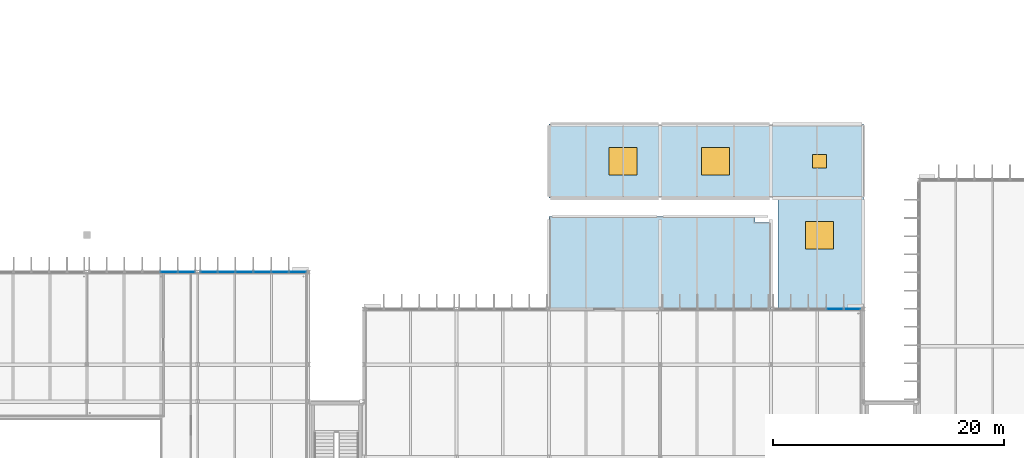
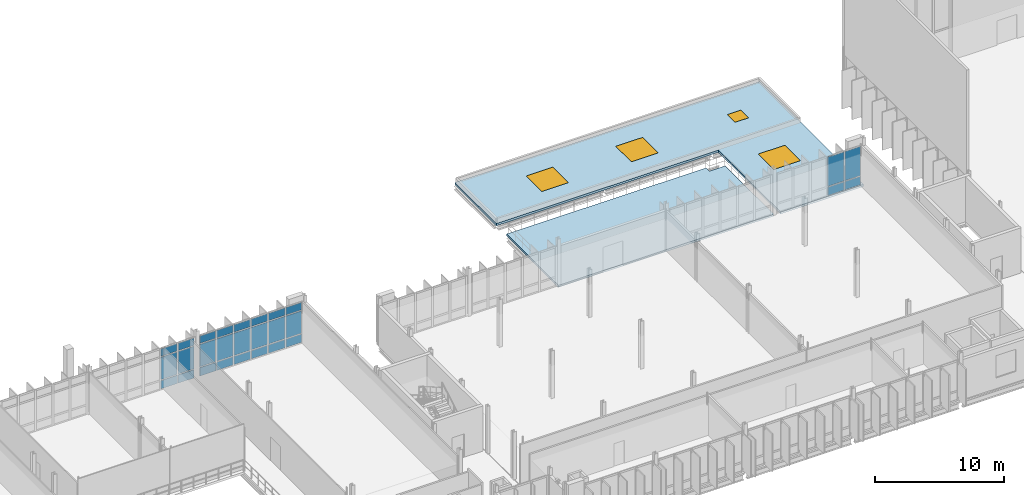
# One storey, part 54 of 110: 28 plates, 4 windows, 2 slabs, 4 openings, 3 elements without a shape of their own.
"""IFC4 building model written with IfcOpenShell, lengths in metres."""

from ifc_helpers import new_model, si_unit, direction, frame, origin, origin_2d, place, context, subcontext, project, spatial, polyline, rectangle, outline, extrude, material, layer, layer_set, type_object, element, fill, aggregate, save


model = new_model("IFC4")

# Units and contexts
model_context = context("Model", 3, precision=1e-05, world=origin(), true_north=direction((0.0, 1.0)))
body_context = subcontext(model_context, "Body", "Model", "MODEL_VIEW")
ifc_project = project(units=[si_unit("LENGTHUNIT", "METRE"), si_unit("AREAUNIT", "SQUARE_METRE"), si_unit("VOLUMEUNIT", "CUBIC_METRE"), si_unit("PLANEANGLEUNIT", "RADIAN"), si_unit("MASSUNIT", "GRAM", prefix="KILO")], contexts=[model_context])

# Site, building, storey
site_placement = place(None, origin())
site = spatial("IfcSite", under=ifc_project, at=site_placement, CompositionType="ELEMENT")
building_placement = place(site_placement, origin())
building = spatial("IfcBuilding", under=site, at=building_placement, Name="Dunescarp Central Library", CompositionType="ELEMENT")
storey_placement = place(building_placement, frame((0.0, 0.0, 9.60009765625)))
storey = spatial("IfcBuildingStorey", under=building, at=storey_placement, Name="L02", CompositionType="ELEMENT", Elevation=9.60009765625)

# Curtain wall, plates
ifc_material_1 = material(Name="Marine-grade anodised aluminium 6063-T6", Category="aluminium")
curtain_wall_type = type_object("IfcCurtainWallType", Name="ARC-CW-STICK", PredefinedType="NOTDEFINED", material=ifc_material_1)
curtain_wall_1_placement = place(storey_placement, origin())
curtain_wall_1 = element("IfcCurtainWall", 1, at=curtain_wall_1_placement, inside=storey, type_object=curtain_wall_type, Name="L02 curtain wall CW-V2-059", PredefinedType="NOTDEFINED")
ifc_material_2 = material(Name="Solar-control laminated double glazing", Category="glass")
ifc_layer_1 = layer(ifc_material_2, 0.028076171875)
ifc_layer_set_1 = layer_set([ifc_layer_1], Name="Solar-control laminated double glazing")
plate_type_1 = type_object("IfcPlateType", Name="ARC-PLT-GLZ28", PredefinedType="CURTAIN_PANEL", material=ifc_layer_set_1)
plate_1_placement = place(storey_placement, frame((64.71240234375, 36.800048828125, 0.93994140625), z_axis=(0.0, 0.0, 1.0), x_axis=(1.0, 0.0, 0.0)))
plate_1 = element("IfcPlate", 2, at=plate_1_placement, type_object=plate_type_1, Name="CW-V2-059 panel 5.2", PredefinedType="CURTAIN_PANEL", context=body_context, shape_type="SweptSolid", body=[
    extrude(rectangle(XDim=1.461669921875, YDim=0.028076171875, at=origin_2d()), origin(), (0.0, 0.0, 1.0), 2.1201171875),
])
plate_2_placement = place(storey_placement, frame((64.71240234375, 36.800048828125, 3.139892578125), z_axis=(0.0, 0.0, 1.0), x_axis=(1.0, 0.0, 0.0)))
plate_2 = element("IfcPlate", 3, at=plate_2_placement, type_object=plate_type_1, Name="CW-V2-059 panel 5.3", PredefinedType="CURTAIN_PANEL", context=body_context, shape_type="SweptSolid", body=[
    extrude(rectangle(XDim=1.461669921875, YDim=0.028076171875, at=origin_2d()), origin(), (0.0, 0.0, 1.0), 0.705078125),
])
plate_3_placement = place(storey_placement, frame((66.234130859375, 36.800048828125, 0.93994140625), z_axis=(0.0, 0.0, 1.0), x_axis=(1.0, 0.0, 0.0)))
plate_3 = element("IfcPlate", 4, at=plate_3_placement, type_object=plate_type_1, Name="CW-V2-059 panel 6.2", PredefinedType="CURTAIN_PANEL", context=body_context, shape_type="SweptSolid", body=[
    extrude(rectangle(XDim=1.421630859375, YDim=0.028076171875, at=origin_2d()), origin(), (0.0, 0.0, 1.0), 2.1201171875),
])
plate_4_placement = place(storey_placement, frame((66.234130859375, 36.800048828125, 3.139892578125), z_axis=(0.0, 0.0, 1.0), x_axis=(1.0, 0.0, 0.0)))
plate_4 = element("IfcPlate", 5, at=plate_4_placement, type_object=plate_type_1, Name="CW-V2-059 panel 6.3", PredefinedType="CURTAIN_PANEL", context=body_context, shape_type="SweptSolid", body=[
    extrude(rectangle(XDim=1.421630859375, YDim=0.028076171875, at=origin_2d()), origin(), (0.0, 0.0, 1.0), 0.705078125),
])

curtain_wall_2_placement = place(storey_placement, origin())
curtain_wall_2 = element("IfcCurtainWall", 6, at=curtain_wall_2_placement, inside=storey, type_object=curtain_wall_type, Name="L02 curtain wall CW-V2-060", PredefinedType="NOTDEFINED")
plate_5_placement = place(storey_placement, frame((68.165771484375, 36.800048828125, 0.93994140625), z_axis=(0.0, 0.0, 1.0), x_axis=(1.0, 0.0, 0.0)))
plate_5 = element("IfcPlate", 7, at=plate_5_placement, type_object=plate_type_1, Name="CW-V2-060 panel 1.2", PredefinedType="CURTAIN_PANEL", context=body_context, shape_type="SweptSolid", body=[
    extrude(rectangle(XDim=1.421630859375, YDim=0.028076171875, at=origin_2d()), origin(), (0.0, 0.0, 1.0), 2.1201171875),
])
plate_6_placement = place(storey_placement, frame((68.165771484375, 36.800048828125, 3.139892578125), z_axis=(0.0, 0.0, 1.0), x_axis=(1.0, 0.0, 0.0)))
plate_6 = element("IfcPlate", 8, at=plate_6_placement, type_object=plate_type_1, Name="CW-V2-060 panel 1.3", PredefinedType="CURTAIN_PANEL", context=body_context, shape_type="SweptSolid", body=[
    extrude(rectangle(XDim=1.421630859375, YDim=0.028076171875, at=origin_2d()), origin(), (0.0, 0.0, 1.0), 0.705078125),
])
plate_7_placement = place(storey_placement, frame((69.6875, 36.800048828125, 0.93994140625), z_axis=(0.0, 0.0, 1.0), x_axis=(1.0, 0.0, 0.0)))
plate_7 = element("IfcPlate", 9, at=plate_7_placement, type_object=plate_type_1, Name="CW-V2-060 panel 2.2", PredefinedType="CURTAIN_PANEL", context=body_context, shape_type="SweptSolid", body=[
    extrude(rectangle(XDim=1.461669921875, YDim=0.028076171875, at=origin_2d()), origin(), (0.0, 0.0, 1.0), 2.1201171875),
])
plate_8_placement = place(storey_placement, frame((69.6875, 36.800048828125, 3.139892578125), z_axis=(0.0, 0.0, 1.0), x_axis=(1.0, 0.0, 0.0)))
plate_8 = element("IfcPlate", 10, at=plate_8_placement, type_object=plate_type_1, Name="CW-V2-060 panel 2.3", PredefinedType="CURTAIN_PANEL", context=body_context, shape_type="SweptSolid", body=[
    extrude(rectangle(XDim=1.461669921875, YDim=0.028076171875, at=origin_2d()), origin(), (0.0, 0.0, 1.0), 0.705078125),
])
plate_9_placement = place(storey_placement, frame((71.229248046875, 36.800048828125, 0.93994140625), z_axis=(0.0, 0.0, 1.0), x_axis=(1.0, 0.0, 0.0)))
plate_9 = element("IfcPlate", 11, at=plate_9_placement, type_object=plate_type_1, Name="CW-V2-060 panel 3.2", PredefinedType="CURTAIN_PANEL", context=body_context, shape_type="SweptSolid", body=[
    extrude(rectangle(XDim=1.461669921875, YDim=0.028076171875, at=origin_2d()), origin(), (0.0, 0.0, 1.0), 2.1201171875),
])
plate_10_placement = place(storey_placement, frame((71.229248046875, 36.800048828125, 3.139892578125), z_axis=(0.0, 0.0, 1.0), x_axis=(1.0, 0.0, 0.0)))
plate_10 = element("IfcPlate", 12, at=plate_10_placement, type_object=plate_type_1, Name="CW-V2-060 panel 3.3", PredefinedType="CURTAIN_PANEL", context=body_context, shape_type="SweptSolid", body=[
    extrude(rectangle(XDim=1.461669921875, YDim=0.028076171875, at=origin_2d()), origin(), (0.0, 0.0, 1.0), 0.705078125),
])
plate_11_placement = place(storey_placement, frame((72.770751953125, 36.800048828125, 0.93994140625), z_axis=(0.0, 0.0, 1.0), x_axis=(1.0, 0.0, 0.0)))
plate_11 = element("IfcPlate", 13, at=plate_11_placement, type_object=plate_type_1, Name="CW-V2-060 panel 4.2", PredefinedType="CURTAIN_PANEL", context=body_context, shape_type="SweptSolid", body=[
    extrude(rectangle(XDim=1.461669921875, YDim=0.028076171875, at=origin_2d()), origin(), (0.0, 0.0, 1.0), 2.1201171875),
])
plate_12_placement = place(storey_placement, frame((72.770751953125, 36.800048828125, 3.139892578125), z_axis=(0.0, 0.0, 1.0), x_axis=(1.0, 0.0, 0.0)))
plate_12 = element("IfcPlate", 14, at=plate_12_placement, type_object=plate_type_1, Name="CW-V2-060 panel 4.3", PredefinedType="CURTAIN_PANEL", context=body_context, shape_type="SweptSolid", body=[
    extrude(rectangle(XDim=1.461669921875, YDim=0.028076171875, at=origin_2d()), origin(), (0.0, 0.0, 1.0), 0.705078125),
])
plate_13_placement = place(storey_placement, frame((74.3125, 36.800048828125, 0.93994140625), z_axis=(0.0, 0.0, 1.0), x_axis=(1.0, 0.0, 0.0)))
plate_13 = element("IfcPlate", 15, at=plate_13_placement, type_object=plate_type_1, Name="CW-V2-060 panel 5.2", PredefinedType="CURTAIN_PANEL", context=body_context, shape_type="SweptSolid", body=[
    extrude(rectangle(XDim=1.461669921875, YDim=0.028076171875, at=origin_2d()), origin(), (0.0, 0.0, 1.0), 2.1201171875),
])
plate_14_placement = place(storey_placement, frame((74.3125, 36.800048828125, 3.139892578125), z_axis=(0.0, 0.0, 1.0), x_axis=(1.0, 0.0, 0.0)))
plate_14 = element("IfcPlate", 16, at=plate_14_placement, type_object=plate_type_1, Name="CW-V2-060 panel 5.3", PredefinedType="CURTAIN_PANEL", context=body_context, shape_type="SweptSolid", body=[
    extrude(rectangle(XDim=1.461669921875, YDim=0.028076171875, at=origin_2d()), origin(), (0.0, 0.0, 1.0), 0.705078125),
])
plate_15_placement = place(storey_placement, frame((75.834228515625, 36.800048828125, 0.93994140625), z_axis=(0.0, 0.0, 1.0), x_axis=(1.0, 0.0, 0.0)))
plate_15 = element("IfcPlate", 17, at=plate_15_placement, type_object=plate_type_1, Name="CW-V2-060 panel 6.2", PredefinedType="CURTAIN_PANEL", context=body_context, shape_type="SweptSolid", body=[
    extrude(rectangle(XDim=1.421630859375, YDim=0.028076171875, at=origin_2d()), origin(), (0.0, 0.0, 1.0), 2.1201171875),
])
plate_16_placement = place(storey_placement, frame((75.834228515625, 36.800048828125, 3.139892578125), z_axis=(0.0, 0.0, 1.0), x_axis=(1.0, 0.0, 0.0)))
plate_16 = element("IfcPlate", 18, at=plate_16_placement, type_object=plate_type_1, Name="CW-V2-060 panel 6.3", PredefinedType="CURTAIN_PANEL", context=body_context, shape_type="SweptSolid", body=[
    extrude(rectangle(XDim=1.421630859375, YDim=0.028076171875, at=origin_2d()), origin(), (0.0, 0.0, 1.0), 0.705078125),
])

curtain_wall_3_placement = place(storey_placement, origin())
curtain_wall_3 = element("IfcCurtainWall", 19, at=curtain_wall_3_placement, inside=storey, type_object=curtain_wall_type, Name="L02 curtain wall CW-V3-097", PredefinedType="NOTDEFINED")
plate_17_placement = place(storey_placement, frame((122.330078125, 33.60009765625, 0.93994140625), z_axis=(0.0, 0.0, 1.0), x_axis=(1.0, 0.0, 0.0)))
plate_17 = element("IfcPlate", 20, at=plate_17_placement, type_object=plate_type_1, Name="CW-V3-097 panel 4.2", PredefinedType="CURTAIN_PANEL", context=body_context, shape_type="SweptSolid", body=[
    extrude(rectangle(XDim=1.449951171875, YDim=0.028076171875, at=origin_2d()), origin(), (0.0, 0.0, 1.0), 2.7548828125),
])
plate_18_placement = place(storey_placement, frame((123.840087890625, 33.60009765625, 0.93994140625), z_axis=(0.0, 0.0, 1.0), x_axis=(1.0, 0.0, 0.0)))
plate_18 = element("IfcPlate", 21, at=plate_18_placement, type_object=plate_type_1, Name="CW-V3-097 panel 5.2", PredefinedType="CURTAIN_PANEL", context=body_context, shape_type="SweptSolid", body=[
    extrude(rectangle(XDim=1.409912109375, YDim=0.028076171875, at=origin_2d()), origin(), (0.0, 0.0, 1.0), 2.7548828125),
])

# Plate
ifc_layer_2 = layer(ifc_material_1, 0.050048828125)
ifc_layer_set_2 = layer_set([ifc_layer_2], Name="Marine-grade anodised aluminium 6063-T6")
plate_type_2 = type_object("IfcPlateType", Name="ARC-PLT-SPN50", PredefinedType="SHEET", material=ifc_layer_set_2)
plate_19_placement = place(storey_placement, frame((64.71240234375, 36.800048828125, 0.080078125), z_axis=(0.0, 0.0, 1.0), x_axis=(1.0, 0.0, 0.0)))
plate_19 = element("IfcPlate", 22, at=plate_19_placement, type_object=plate_type_2, Name="CW-V2-059 panel 5.1", PredefinedType="SHEET", context=body_context, shape_type="SweptSolid", body=[
    extrude(rectangle(XDim=1.461669921875, YDim=0.050048828125, at=origin_2d()), origin(), (0.0, 0.0, 1.0), 0.780029296875),
])

plate_20_placement = place(storey_placement, frame((66.234130859375, 36.800048828125, 0.080078125), z_axis=(0.0, 0.0, 1.0), x_axis=(1.0, 0.0, 0.0)))
plate_20 = element("IfcPlate", 23, at=plate_20_placement, type_object=plate_type_2, Name="CW-V2-059 panel 6.1", PredefinedType="SHEET", context=body_context, shape_type="SweptSolid", body=[
    extrude(rectangle(XDim=1.421630859375, YDim=0.050048828125, at=origin_2d()), origin(), (0.0, 0.0, 1.0), 0.780029296875),
])

aggregate(curtain_wall_1, [plate_19, plate_1, plate_2, plate_20, plate_3, plate_4])

plate_21_placement = place(storey_placement, frame((68.165771484375, 36.800048828125, 0.080078125), z_axis=(0.0, 0.0, 1.0), x_axis=(1.0, 0.0, 0.0)))
plate_21 = element("IfcPlate", 24, at=plate_21_placement, type_object=plate_type_2, Name="CW-V2-060 panel 1.1", PredefinedType="SHEET", context=body_context, shape_type="SweptSolid", body=[
    extrude(rectangle(XDim=1.421630859375, YDim=0.050048828125, at=origin_2d()), origin(), (0.0, 0.0, 1.0), 0.780029296875),
])

plate_22_placement = place(storey_placement, frame((69.6875, 36.800048828125, 0.080078125), z_axis=(0.0, 0.0, 1.0), x_axis=(1.0, 0.0, 0.0)))
plate_22 = element("IfcPlate", 25, at=plate_22_placement, type_object=plate_type_2, Name="CW-V2-060 panel 2.1", PredefinedType="SHEET", context=body_context, shape_type="SweptSolid", body=[
    extrude(rectangle(XDim=1.461669921875, YDim=0.050048828125, at=origin_2d()), origin(), (0.0, 0.0, 1.0), 0.780029296875),
])

plate_23_placement = place(storey_placement, frame((71.229248046875, 36.800048828125, 0.080078125), z_axis=(0.0, 0.0, 1.0), x_axis=(1.0, 0.0, 0.0)))
plate_23 = element("IfcPlate", 26, at=plate_23_placement, type_object=plate_type_2, Name="CW-V2-060 panel 3.1", PredefinedType="SHEET", context=body_context, shape_type="SweptSolid", body=[
    extrude(rectangle(XDim=1.461669921875, YDim=0.050048828125, at=origin_2d()), origin(), (0.0, 0.0, 1.0), 0.780029296875),
])

plate_24_placement = place(storey_placement, frame((72.770751953125, 36.800048828125, 0.080078125), z_axis=(0.0, 0.0, 1.0), x_axis=(1.0, 0.0, 0.0)))
plate_24 = element("IfcPlate", 27, at=plate_24_placement, type_object=plate_type_2, Name="CW-V2-060 panel 4.1", PredefinedType="SHEET", context=body_context, shape_type="SweptSolid", body=[
    extrude(rectangle(XDim=1.461669921875, YDim=0.050048828125, at=origin_2d()), origin(), (0.0, 0.0, 1.0), 0.780029296875),
])

plate_25_placement = place(storey_placement, frame((74.3125, 36.800048828125, 0.080078125), z_axis=(0.0, 0.0, 1.0), x_axis=(1.0, 0.0, 0.0)))
plate_25 = element("IfcPlate", 28, at=plate_25_placement, type_object=plate_type_2, Name="CW-V2-060 panel 5.1", PredefinedType="SHEET", context=body_context, shape_type="SweptSolid", body=[
    extrude(rectangle(XDim=1.461669921875, YDim=0.050048828125, at=origin_2d()), origin(), (0.0, 0.0, 1.0), 0.780029296875),
])

plate_26_placement = place(storey_placement, frame((75.834228515625, 36.800048828125, 0.080078125), z_axis=(0.0, 0.0, 1.0), x_axis=(1.0, 0.0, 0.0)))
plate_26 = element("IfcPlate", 29, at=plate_26_placement, type_object=plate_type_2, Name="CW-V2-060 panel 6.1", PredefinedType="SHEET", context=body_context, shape_type="SweptSolid", body=[
    extrude(rectangle(XDim=1.421630859375, YDim=0.050048828125, at=origin_2d()), origin(), (0.0, 0.0, 1.0), 0.780029296875),
])

aggregate(curtain_wall_2, [plate_21, plate_5, plate_6, plate_22, plate_7, plate_8, plate_23, plate_9, plate_10, plate_24, plate_11, plate_12, plate_25, plate_13, plate_14, plate_26, plate_15, plate_16])

plate_27_placement = place(storey_placement, frame((122.330078125, 33.60009765625, 0.080078125), z_axis=(0.0, 0.0, 1.0), x_axis=(1.0, 0.0, 0.0)))
plate_27 = element("IfcPlate", 30, at=plate_27_placement, type_object=plate_type_2, Name="CW-V3-097 panel 4.1", PredefinedType="SHEET", context=body_context, shape_type="SweptSolid", body=[
    extrude(rectangle(XDim=1.449951171875, YDim=0.050048828125, at=origin_2d()), origin(), (0.0, 0.0, 1.0), 0.780029296875),
])

plate_28_placement = place(storey_placement, frame((123.840087890625, 33.60009765625, 0.080078125), z_axis=(0.0, 0.0, 1.0), x_axis=(1.0, 0.0, 0.0)))
plate_28 = element("IfcPlate", 31, at=plate_28_placement, type_object=plate_type_2, Name="CW-V3-097 panel 5.1", PredefinedType="SHEET", context=body_context, shape_type="SweptSolid", body=[
    extrude(rectangle(XDim=1.409912109375, YDim=0.050048828125, at=origin_2d()), origin(), (0.0, 0.0, 1.0), 0.780029296875),
])

aggregate(curtain_wall_3, [plate_27, plate_17, plate_28, plate_18])

# Slab, openings, windows
ifc_material_3 = material(Name="Concrete C35/45", Category="concrete")
ifc_layer_3 = layer(ifc_material_3, 0.199951171875)
ifc_layer_set_3 = layer_set([ifc_layer_3], Name="Concrete C35/45")
slab_type_1 = type_object("IfcSlabType", Name="STR-SLB-ROOF200", PredefinedType="ROOF", material=ifc_layer_set_3)
slab_1_placement = place(storey_placement, frame((0.0, 0.0, -0.210205078125)))
slab_1 = element("IfcSlab", 32, at=slab_1_placement, inside=storey, type_object=slab_type_1, Name="L02 flat roof slab V3D", PredefinedType="ROOF", context=body_context, shape_type="SweptSolid", body=[
    extrude(outline(polyline([(97.60009765625, 43.199951171875), (117.39990234375, 43.199951171875), (117.39990234375, 33.60009765625), (124.800048828125, 33.60009765625), (124.800048828125, 49.60009765625), (97.60009765625, 49.60009765625), (97.60009765625, 43.199951171875)])), origin(), (0.0, 0.0, 1.0), 0.210205078125),
])
opening_1_placement = place(slab_1_placement, frame((104.0, 46.39990234375, -0.010009765625)))
opening_1 = element("IfcOpeningElement", 33, at=opening_1_placement, cuts=slab_1, Name="Opening SKY-05", PredefinedType="OPENING", context=body_context, shape_type="SweptSolid", body=[
    extrude(rectangle(XDim=2.39990234375, YDim=2.39990234375, at=origin_2d()), origin(), (0.0, 0.0, 1.0), 0.230224609375),
])
opening_2_placement = place(slab_1_placement, frame((112.0, 46.39990234375, -0.010009765625)))
opening_2 = element("IfcOpeningElement", 34, at=opening_2_placement, cuts=slab_1, Name="Opening SKY-06", PredefinedType="OPENING", context=body_context, shape_type="SweptSolid", body=[
    extrude(rectangle(XDim=2.39990234375, YDim=2.39990234375, at=origin_2d()), origin(), (0.0, 0.0, 1.0), 0.230224609375),
])
opening_3_placement = place(slab_1_placement, frame((121.0, 40.0, -0.010009765625)))
opening_3 = element("IfcOpeningElement", 35, at=opening_3_placement, cuts=slab_1, Name="Opening SKY-07", PredefinedType="OPENING", context=body_context, shape_type="SweptSolid", body=[
    extrude(rectangle(XDim=2.39990234375, YDim=2.39990234375, at=origin_2d()), origin(), (0.0, 0.0, 1.0), 0.230224609375),
])
opening_4_placement = place(slab_1_placement, frame((121.0, 46.39990234375, -0.010009765625)))
opening_4 = element("IfcOpeningElement", 36, at=opening_4_placement, cuts=slab_1, Name="Opening SKY-15", PredefinedType="OPENING", context=body_context, shape_type="SweptSolid", body=[
    extrude(rectangle(XDim=1.199951171875, YDim=1.199951171875, at=origin_2d()), origin(), (0.0, 0.0, 1.0), 0.230224609375),
])
window_type_1 = type_object("IfcWindowType", Name="ARC-WN-SKY1200", PartitioningType="SINGLE_PANEL", PredefinedType="SKYLIGHT", material=ifc_material_2)
window_1_placement = place(slab_1_placement, frame((121.0, 46.39990234375, 0.16015625)))
window_1 = element("IfcWindow", 37, at=window_1_placement, inside=storey, type_object=window_type_1, Name="L02 roof smoke-vent skylight SKY-15", OverallHeight=1.199951171875, OverallWidth=1.199951171875, PartitioningType="SINGLE_PANEL", PredefinedType="SKYLIGHT", context=body_context, shape_type="SweptSolid", body=[
    extrude(rectangle(XDim=1.199951171875, YDim=1.199951171875, at=origin_2d()), origin(), (0.0, 0.0, 1.0), 0.050048828125),
])
fill(opening_4, window_1)
window_type_2 = type_object("IfcWindowType", Name="ARC-WN-SKY2400", PartitioningType="SINGLE_PANEL", PredefinedType="SKYLIGHT", material=ifc_material_2)
window_2_placement = place(slab_1_placement, frame((104.0, 46.39990234375, 0.16015625)))
window_2 = element("IfcWindow", 38, at=window_2_placement, inside=storey, type_object=window_type_2, Name="L02 roof skylight SKY-05", OverallHeight=2.39990234375, OverallWidth=2.39990234375, PartitioningType="SINGLE_PANEL", PredefinedType="SKYLIGHT", context=body_context, shape_type="SweptSolid", body=[
    extrude(rectangle(XDim=2.39990234375, YDim=2.39990234375, at=origin_2d()), origin(), (0.0, 0.0, 1.0), 0.050048828125),
])
fill(opening_1, window_2)
window_3_placement = place(slab_1_placement, frame((112.0, 46.39990234375, 0.16015625)))
window_3 = element("IfcWindow", 39, at=window_3_placement, inside=storey, type_object=window_type_2, Name="L02 roof skylight SKY-06", OverallHeight=2.39990234375, OverallWidth=2.39990234375, PartitioningType="SINGLE_PANEL", PredefinedType="SKYLIGHT", context=body_context, shape_type="SweptSolid", body=[
    extrude(rectangle(XDim=2.39990234375, YDim=2.39990234375, at=origin_2d()), origin(), (0.0, 0.0, 1.0), 0.050048828125),
])
fill(opening_2, window_3)
window_4_placement = place(slab_1_placement, frame((121.0, 40.0, 0.16015625)))
window_4 = element("IfcWindow", 40, at=window_4_placement, inside=storey, type_object=window_type_2, Name="L02 roof skylight SKY-07", OverallHeight=2.39990234375, OverallWidth=2.39990234375, PartitioningType="SINGLE_PANEL", PredefinedType="SKYLIGHT", context=body_context, shape_type="SweptSolid", body=[
    extrude(rectangle(XDim=2.39990234375, YDim=2.39990234375, at=origin_2d()), origin(), (0.0, 0.0, 1.0), 0.050048828125),
])
fill(opening_3, window_4)

# Slab
ifc_layer_4 = layer(ifc_material_3, 0.18994140625)
ifc_layer_set_4 = layer_set([ifc_layer_4], Name="Concrete C35/45")
slab_type_2 = type_object("IfcSlabType", Name="STR-SLB-TER190", PredefinedType="FLOOR", material=ifc_layer_set_4)
slab_2_placement = place(storey_placement, frame((0.0, 0.0, -0.190185546875)))
element("IfcSlab", 41, at=slab_2_placement, inside=storey, type_object=slab_type_2, Name="L02 outdoor reading terrace TER-L02-V3D", PredefinedType="FLOOR", context=body_context, shape_type="SweptSolid", body=[
    extrude(outline(polyline([(97.60009765625, 33.60009765625), (116.800048828125, 33.60009765625), (116.800048828125, 41.10009765625), (115.39990234375, 41.10009765625), (115.39990234375, 41.60009765625), (97.60009765625, 41.60009765625), (97.60009765625, 33.60009765625)])), origin(), (0.0, 0.0, 1.0), 0.190185546875),
])

save(model, "model.ifc")
